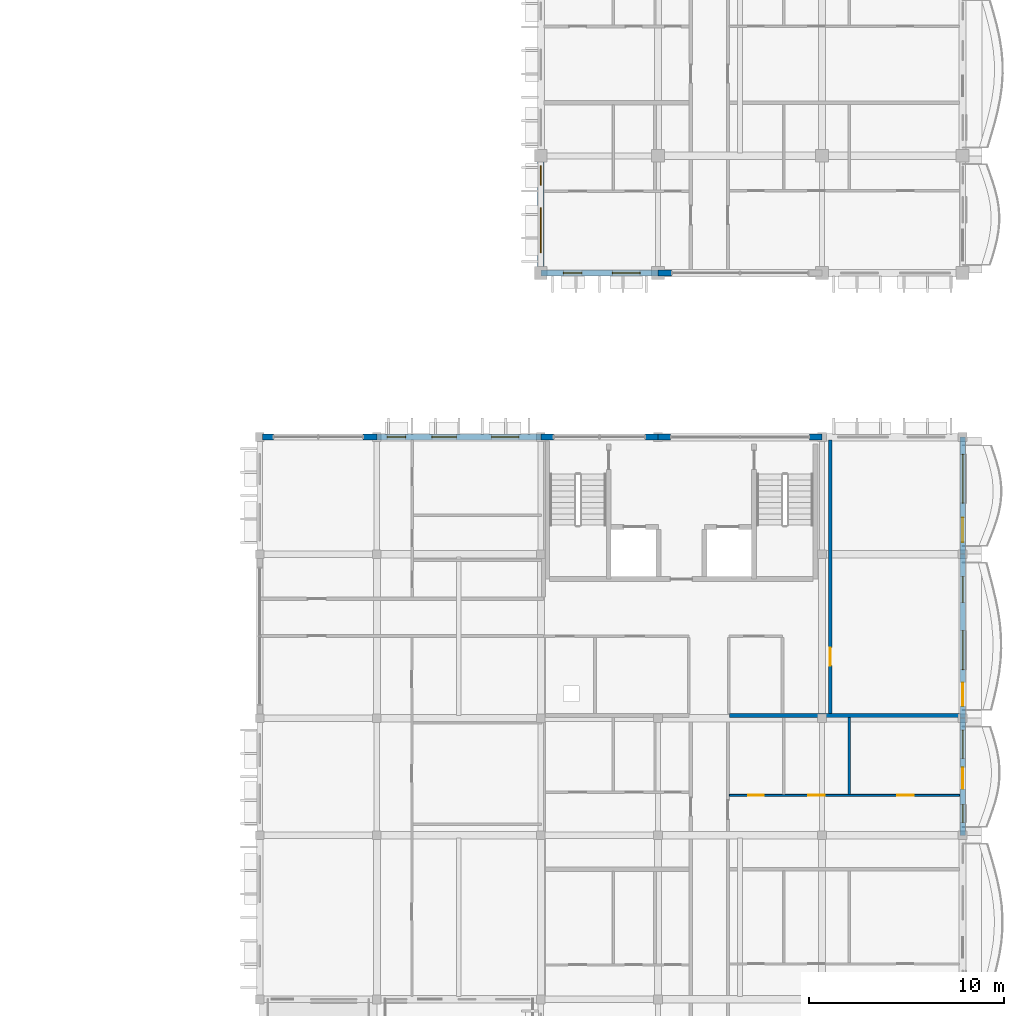
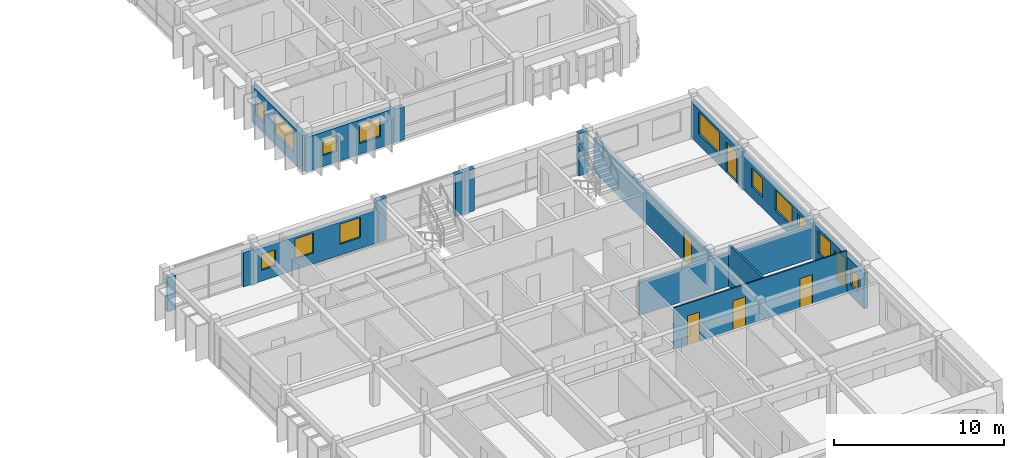
# One storey, part 42 of 76: 17 walls, 12 windows, 7 doors, 19 openings.
"""IFC4 building model written with IfcOpenShell, lengths in metres."""

from ifc_helpers import new_model, si_unit, direction, frame, frame_2d, origin, place, context, subcontext, project, spatial, rectangle, extrude, material, layer, layer_set, type_object, element, fill, save


model = new_model("IFC4")

# Units and contexts
model_context = context("Model", 3, precision=1e-05, world=origin(), true_north=direction((0.0, 1.0)))
body_context = subcontext(model_context, "Body", "Model", "MODEL_VIEW")
ifc_project = project(units=[si_unit("LENGTHUNIT", "METRE"), si_unit("AREAUNIT", "SQUARE_METRE"), si_unit("VOLUMEUNIT", "CUBIC_METRE"), si_unit("PLANEANGLEUNIT", "RADIAN"), si_unit("MASSUNIT", "GRAM", prefix="KILO"), si_unit("THERMODYNAMICTEMPERATUREUNIT", "KELVIN")], contexts=[model_context])

# Site, building, storey
site_placement = place(None, origin())
site = spatial("IfcSite", under=ifc_project, at=site_placement, CompositionType="ELEMENT")
building_placement = place(site_placement, origin())
building = spatial("IfcBuilding", under=site, at=building_placement, Name="Thalorik Housing Commons", CompositionType="ELEMENT")
storey_placement = place(building_placement, frame((0.0, 0.0, 18.0)))
storey = spatial("IfcBuildingStorey", under=building, at=storey_placement, Name="L05", CompositionType="ELEMENT", Elevation=18.0)

# Wall, opening, door
ifc_material_1 = material(Name="Masonry fire-rated corridor wall", Category="masonry")
ifc_layer_1 = layer(ifc_material_1, 0.1650390625, Name="Masonry fire-rated corridor wall", Category="masonry")
ifc_layer_set_1 = layer_set([ifc_layer_1], Name="Masonry fire-rated corridor wall")
wall_type_1 = type_object("IfcWallType", Name="ARC-WAL-CORR-165", PredefinedType="PARTITIONING", material=ifc_layer_set_1)
wall_1_placement = place(storey_placement, frame((167.219970703125, 57.85205078125, 0.0), z_axis=(0.0, 0.0, 1.0), x_axis=(0.0, 1.0, 0.0)))
wall_1 = element("IfcWall", 1, at=wall_1_placement, inside=storey, type_object=wall_type_1, Name="L05 Block D East Studio Wall", PredefinedType="PARTITIONING", context=body_context, shape_type="SweptSolid", body=[
    extrude(rectangle(XDim=14.008056640625, YDim=0.1650390625, at=frame_2d((7.00390625, 0.0))), origin(), (0.0, 0.0, 1.0), 2.425048828125),
])
opening_1_placement = place(wall_1_placement, frame((2.43798828125, 0.0, 0.0)))
opening_1 = element("IfcOpeningElement", 2, at=opening_1_placement, cuts=wall_1, Name="Opening ID-2091", PredefinedType="OPENING", context=body_context, shape_type="SweptSolid", body=[
    extrude(rectangle(XDim=0.919921875, YDim=2.10009765625, at=frame_2d((0.4599609375, 1.050048828125))), frame((0.0, 0.092529296875, 0.0), z_axis=(0.0, -1.0, 0.0), x_axis=(1.0, 0.0, 0.0)), (0.0, 0.0, 1.0), 0.18505859375),
])
ifc_material_2 = material(Name="Solid core hardwood timber", Category="wood")
door_type_1 = type_object("IfcDoorType", Name="ARC-DR-FD30-920", OperationType="NOTDEFINED", PredefinedType="DOOR", material=ifc_material_2)
door_1_placement = place(opening_1_placement, origin())
door_1 = element("IfcDoor", 3, at=door_1_placement, inside=storey, type_object=door_type_1, Name="L05 Block D East Room Door", OperationType="SINGLE_SWING_RIGHT", OverallHeight=2.10009765625, OverallWidth=0.919921875, PredefinedType="DOOR", context=body_context, shape_type="SweptSolid", body=[
    extrude(rectangle(XDim=0.919921875, YDim=2.10009765625, at=frame_2d((0.4599609375, 1.050048828125))), frame((0.0, 0.02490234375, 0.0), z_axis=(0.0, -1.0, 0.0), x_axis=(1.0, 0.0, 0.0)), (0.0, 0.0, 1.0), 0.050048828125),
])
fill(opening_1, door_1)

# Wall, openings, windows
ifc_material_3 = material(Name="White precast concrete C40/50", Category="concrete")
ifc_layer_2 = layer(ifc_material_3, 0.2900390625, Name="White precast concrete C40/50", Category="concrete")
ifc_layer_set_2 = layer_set([ifc_layer_2], Name="White precast concrete C40/50")
wall_type_2 = type_object("IfcWallType", Name="ARC-WAL-EXT-290", PredefinedType="STANDARD", material=ifc_layer_set_2)
wall_2_placement = place(storey_placement, frame((152.39990234375, 72.0, 0.0), z_axis=(0.0, 0.0, 1.0), x_axis=(-1.0, 0.0, 0.0)))
wall_2 = element("IfcWall", 4, at=wall_2_placement, inside=storey, type_object=wall_type_2, Name="L05 Exterior Wall WAL-EXT-L05-D-1205", PredefinedType="STANDARD", context=body_context, shape_type="SweptSolid", body=[
    extrude(rectangle(XDim=8.39990234375, YDim=0.2900390625, at=frame_2d((4.199951171875, 0.0))), origin(), (0.0, 0.0, 1.0), 2.375),
])
opening_2_placement = place(wall_2_placement, frame((1.125, 0.0, 0.780029296875)))
opening_2 = element("IfcOpeningElement", 5, at=opening_2_placement, cuts=wall_2, Name="Opening W-08", PredefinedType="OPENING", context=body_context, shape_type="SweptSolid", body=[
    extrude(rectangle(XDim=1.39990234375, YDim=1.449951171875, at=frame_2d((0.699951171875, 0.72509765625))), frame((0.0, 0.155029296875, 0.0), z_axis=(0.0, -1.0, 0.0), x_axis=(1.0, 0.0, 0.0)), (0.0, 0.0, 1.0), 0.31005859375),
])
opening_3_placement = place(wall_2_placement, frame((4.32958984375, 0.0, 0.780029296875)))
opening_3 = element("IfcOpeningElement", 6, at=opening_3_placement, cuts=wall_2, Name="Opening W-47", PredefinedType="OPENING", context=body_context, shape_type="SweptSolid", body=[
    extrude(rectangle(XDim=1.25, YDim=1.449951171875, at=frame_2d((0.625, 0.72509765625))), frame((0.0, 0.155029296875, 0.0), z_axis=(0.0, -1.0, 0.0), x_axis=(1.0, 0.0, 0.0)), (0.0, 0.0, 1.0), 0.31005859375),
])
opening_4_placement = place(wall_2_placement, frame((6.9248046875, 0.0, 0.780029296875)))
opening_4 = element("IfcOpeningElement", 7, at=opening_4_placement, cuts=wall_2, Name="Opening W-43", PredefinedType="OPENING", context=body_context, shape_type="SweptSolid", body=[
    extrude(rectangle(XDim=0.949951171875, YDim=1.14990234375, at=frame_2d((0.47509765625, 0.574951171875))), frame((0.0, 0.155029296875, 0.0), z_axis=(0.0, -1.0, 0.0), x_axis=(1.0, 0.0, 0.0)), (0.0, 0.0, 1.0), 0.31005859375),
])
ifc_material_4 = material(Name="Anodised aluminium and solar-control low-E glass", Category="aluminium")
window_type_1 = type_object("IfcWindowType", Name="ARC-WIN-08", PartitioningType="SINGLE_PANEL", PredefinedType="WINDOW", material=ifc_material_4)
window_1_placement = place(opening_2_placement, origin())
window_1 = element("IfcWindow", 8, at=window_1_placement, inside=storey, type_object=window_type_1, Name="L05 Facade Window 2201", OverallHeight=1.449951171875, OverallWidth=1.39990234375, PartitioningType="SINGLE_PANEL", PredefinedType="WINDOW", context=body_context, shape_type="SweptSolid", body=[
    extrude(rectangle(XDim=1.39990234375, YDim=1.449951171875, at=frame_2d((0.699951171875, 0.72509765625))), frame((0.0, 0.030029296875, 0.0), z_axis=(0.0, -1.0, 0.0), x_axis=(1.0, 0.0, 0.0)), (0.0, 0.0, 1.0), 0.06005859375),
])
fill(opening_2, window_1)
window_type_2 = type_object("IfcWindowType", Name="ARC-WIN-43", PartitioningType="SINGLE_PANEL", PredefinedType="WINDOW", material=ifc_material_4)
window_2_placement = place(opening_4_placement, origin())
window_2 = element("IfcWindow", 9, at=window_2_placement, inside=storey, type_object=window_type_2, Name="L05 Facade Window 2203", OverallHeight=1.14990234375, OverallWidth=0.949951171875, PartitioningType="SINGLE_PANEL", PredefinedType="WINDOW", context=body_context, shape_type="SweptSolid", body=[
    extrude(rectangle(XDim=0.949951171875, YDim=1.14990234375, at=frame_2d((0.47509765625, 0.574951171875))), frame((0.0, 0.030029296875, 0.0), z_axis=(0.0, -1.0, 0.0), x_axis=(1.0, 0.0, 0.0)), (0.0, 0.0, 1.0), 0.06005859375),
])
fill(opening_4, window_2)
window_type_3 = type_object("IfcWindowType", Name="ARC-WIN-47", PartitioningType="SINGLE_PANEL", PredefinedType="WINDOW", material=ifc_material_4)
window_3_placement = place(opening_3_placement, origin())
window_3 = element("IfcWindow", 10, at=window_3_placement, inside=storey, type_object=window_type_3, Name="L05 Facade Window 2202", OverallHeight=1.449951171875, OverallWidth=1.25, PartitioningType="SINGLE_PANEL", PredefinedType="WINDOW", context=body_context, shape_type="SweptSolid", body=[
    extrude(rectangle(XDim=1.25, YDim=1.449951171875, at=frame_2d((0.625, 0.72509765625))), frame((0.0, 0.030029296875, 0.0), z_axis=(0.0, -1.0, 0.0), x_axis=(1.0, 0.0, 0.0)), (0.0, 0.0, 1.0), 0.06005859375),
])
fill(opening_3, window_3)

# Walls
wall_3_placement = place(storey_placement, frame((144.0, 72.0, 0.0), z_axis=(0.0, 0.0, 1.0), x_axis=(-1.0, 0.0, 0.0)))
element("IfcWall", 11, at=wall_3_placement, inside=storey, type_object=wall_type_2, Name="L05 Exterior Wall WAL-PIERL-L05-D-1206", PredefinedType="STANDARD", context=body_context, shape_type="SweptSolid", body=[
    extrude(rectangle(XDim=0.699951171875, YDim=0.2900390625, at=frame_2d((0.35009765625, 0.0))), origin(), (0.0, 0.0, 1.0), 2.47509765625),
])
wall_4_placement = place(storey_placement, frame((138.699951171875, 72.0, 0.0), z_axis=(0.0, 0.0, 1.0), x_axis=(-1.0, 0.0, 0.0)))
element("IfcWall", 12, at=wall_4_placement, inside=storey, type_object=wall_type_2, Name="L05 Exterior Wall WAL-PIERR-L05-D-1206", PredefinedType="STANDARD", context=body_context, shape_type="SweptSolid", body=[
    extrude(rectangle(XDim=0.552978515625, YDim=0.2900390625, at=frame_2d((0.2763671875, 0.0))), origin(), (0.0, 0.0, 1.0), 2.47509765625),
])

# Wall, openings, door, windows
wall_5_placement = place(storey_placement, frame((174.0, 51.60009765625, 0.0), z_axis=(0.0, 0.0, 1.0), x_axis=(0.0, 1.0, 0.0)))
wall_5 = element("IfcWall", 13, at=wall_5_placement, inside=storey, type_object=wall_type_2, Name="L05 Exterior Wall WAL-EXT-L05-D-1219", PredefinedType="STANDARD", context=body_context, shape_type="SweptSolid", body=[
    extrude(rectangle(XDim=6.0, YDim=0.2900390625, at=frame_2d((3.0, 0.0))), origin(), (0.0, 0.0, 1.0), 2.574951171875),
])
opening_5_placement = place(wall_5_placement, frame((2.377685546875, 0.0, 0.0)))
opening_5 = element("IfcOpeningElement", 14, at=opening_5_placement, cuts=wall_5, Name="Opening ED-0413", PredefinedType="OPENING", context=body_context, shape_type="SweptSolid", body=[
    extrude(rectangle(XDim=1.10009765625, YDim=2.14990234375, at=frame_2d((0.550048828125, 1.074951171875))), frame((0.0, 0.155029296875, 0.0), z_axis=(0.0, -1.0, 0.0), x_axis=(1.0, 0.0, 0.0)), (0.0, 0.0, 1.0), 0.31005859375),
])
opening_6_placement = place(wall_5_placement, frame((0.668701171875, 0.0, 0.780029296875)))
opening_6 = element("IfcOpeningElement", 15, at=opening_6_placement, cuts=wall_5, Name="Opening W-01", PredefinedType="OPENING", context=body_context, shape_type="SweptSolid", body=[
    extrude(rectangle(XDim=0.89990234375, YDim=1.199951171875, at=frame_2d((0.449951171875, 0.60009765625))), frame((0.0, 0.155029296875, 0.0), z_axis=(0.0, -1.0, 0.0), x_axis=(1.0, 0.0, 0.0)), (0.0, 0.0, 1.0), 0.31005859375),
])
opening_7_placement = place(wall_5_placement, frame((3.94384765625, 0.0, 0.780029296875)))
opening_7 = element("IfcOpeningElement", 16, at=opening_7_placement, cuts=wall_5, Name="Opening W-09", PredefinedType="OPENING", context=body_context, shape_type="SweptSolid", body=[
    extrude(rectangle(XDim=1.449951171875, YDim=1.60009765625, at=frame_2d((0.72509765625, 0.800048828125))), frame((0.0, 0.155029296875, 0.0), z_axis=(0.0, -1.0, 0.0), x_axis=(1.0, 0.0, 0.0)), (0.0, 0.0, 1.0), 0.31005859375),
])
ifc_material_5 = material(Name="Anodised aluminium and laminated safety glass", Category="aluminium")
door_type_2 = type_object("IfcDoorType", Name="ARC-DR-BAL-1100", OperationType="NOTDEFINED", PredefinedType="DOOR", material=ifc_material_5)
door_2_placement = place(opening_5_placement, frame((1.10009765625, 0.0, 0.0), z_axis=(0.0, 0.0, 1.0), x_axis=(-1.0, 0.0, 0.0)))
door_2 = element("IfcDoor", 17, at=door_2_placement, inside=storey, type_object=door_type_2, Name="L05 Block D Balcony Glazed Door", OperationType="SINGLE_SWING_RIGHT", OverallHeight=2.14990234375, OverallWidth=1.10009765625, PredefinedType="DOOR", context=body_context, shape_type="SweptSolid", body=[
    extrude(rectangle(XDim=1.10009765625, YDim=2.14990234375, at=frame_2d((0.550048828125, 1.074951171875))), frame((0.0, 0.02490234375, 0.0), z_axis=(0.0, -1.0, 0.0), x_axis=(1.0, 0.0, 0.0)), (0.0, 0.0, 1.0), 0.050048828125),
])
fill(opening_5, door_2)
window_type_4 = type_object("IfcWindowType", Name="ARC-WIN-01", PartitioningType="SINGLE_PANEL", PredefinedType="WINDOW", material=ifc_material_4)
window_4_placement = place(opening_6_placement, origin())
window_4 = element("IfcWindow", 18, at=window_4_placement, inside=storey, type_object=window_type_4, Name="L05 Facade Window 2226", OverallHeight=1.199951171875, OverallWidth=0.89990234375, PartitioningType="SINGLE_PANEL", PredefinedType="WINDOW", context=body_context, shape_type="SweptSolid", body=[
    extrude(rectangle(XDim=0.89990234375, YDim=1.199951171875, at=frame_2d((0.449951171875, 0.60009765625))), frame((0.0, 0.030029296875, 0.0), z_axis=(0.0, -1.0, 0.0), x_axis=(1.0, 0.0, 0.0)), (0.0, 0.0, 1.0), 0.06005859375),
])
fill(opening_6, window_4)
window_type_5 = type_object("IfcWindowType", Name="ARC-WIN-09", PartitioningType="SINGLE_PANEL", PredefinedType="WINDOW", material=ifc_material_4)
window_5_placement = place(opening_7_placement, origin())
window_5 = element("IfcWindow", 19, at=window_5_placement, inside=storey, type_object=window_type_5, Name="L05 Facade Window 2227", OverallHeight=1.60009765625, OverallWidth=1.449951171875, PartitioningType="SINGLE_PANEL", PredefinedType="WINDOW", context=body_context, shape_type="SweptSolid", body=[
    extrude(rectangle(XDim=1.449951171875, YDim=1.60009765625, at=frame_2d((0.72509765625, 0.800048828125))), frame((0.0, 0.030029296875, 0.0), z_axis=(0.0, -1.0, 0.0), x_axis=(1.0, 0.0, 0.0)), (0.0, 0.0, 1.0), 0.06005859375),
])
fill(opening_7, window_5)

wall_6_placement = place(storey_placement, frame((174.0, 57.60009765625, 0.0), z_axis=(0.0, 0.0, 1.0), x_axis=(0.0, 1.0, 0.0)))
wall_6 = element("IfcWall", 20, at=wall_6_placement, inside=storey, type_object=wall_type_2, Name="L05 Exterior Wall WAL-EXT-L05-D-1220", PredefinedType="STANDARD", context=body_context, shape_type="SweptSolid", body=[
    extrude(rectangle(XDim=8.39990234375, YDim=0.2900390625, at=frame_2d((4.199951171875, 0.0))), origin(), (0.0, 0.0, 1.0), 2.425048828125),
])
opening_8_placement = place(wall_6_placement, frame((0.6201171875, 0.0, 0.0)))
opening_8 = element("IfcOpeningElement", 21, at=opening_8_placement, cuts=wall_6, Name="Opening ED-0414", PredefinedType="OPENING", context=body_context, shape_type="SweptSolid", body=[
    extrude(rectangle(XDim=1.199951171875, YDim=2.14990234375, at=frame_2d((0.60009765625, 1.074951171875))), frame((0.0, 0.155029296875, 0.0), z_axis=(0.0, -1.0, 0.0), x_axis=(1.0, 0.0, 0.0)), (0.0, 0.0, 1.0), 0.31005859375),
])
opening_9_placement = place(wall_6_placement, frame((2.489990234375, 0.0, 0.780029296875)))
opening_9 = element("IfcOpeningElement", 22, at=opening_9_placement, cuts=wall_6, Name="Opening W-23", PredefinedType="OPENING", context=body_context, shape_type="SweptSolid", body=[
    extrude(rectangle(XDim=2.0, YDim=1.5, at=frame_2d((1.0, 0.75))), frame((0.0, 0.155029296875, 0.0), z_axis=(0.0, -1.0, 0.0), x_axis=(1.0, 0.0, 0.0)), (0.0, 0.0, 1.0), 0.31005859375),
])
opening_10_placement = place(wall_6_placement, frame((5.929931640625, 0.0, 0.780029296875)))
opening_10 = element("IfcOpeningElement", 23, at=opening_10_placement, cuts=wall_6, Name="Opening W-48", PredefinedType="OPENING", context=body_context, shape_type="SweptSolid", body=[
    extrude(rectangle(XDim=1.320068359375, YDim=1.35009765625, at=frame_2d((0.66015625, 0.675048828125))), frame((0.0, 0.155029296875, 0.0), z_axis=(0.0, -1.0, 0.0), x_axis=(1.0, 0.0, 0.0)), (0.0, 0.0, 1.0), 0.31005859375),
])
door_type_3 = type_object("IfcDoorType", Name="ARC-DR-BAL-1200", OperationType="NOTDEFINED", PredefinedType="DOOR", material=ifc_material_5)
door_3_placement = place(opening_8_placement, frame((1.199951171875, 0.0, 0.0), z_axis=(0.0, 0.0, 1.0), x_axis=(-1.0, 0.0, 0.0)))
door_3 = element("IfcDoor", 24, at=door_3_placement, inside=storey, type_object=door_type_3, Name="L05 Block D Balcony Glazed Door", OperationType="SINGLE_SWING_LEFT", OverallHeight=2.14990234375, OverallWidth=1.199951171875, PredefinedType="DOOR", context=body_context, shape_type="SweptSolid", body=[
    extrude(rectangle(XDim=1.199951171875, YDim=2.14990234375, at=frame_2d((0.60009765625, 1.074951171875))), frame((0.0, 0.02490234375, 0.0), z_axis=(0.0, -1.0, 0.0), x_axis=(1.0, 0.0, 0.0)), (0.0, 0.0, 1.0), 0.050048828125),
])
fill(opening_8, door_3)
window_type_6 = type_object("IfcWindowType", Name="ARC-WIN-23", PartitioningType="DOUBLE_PANEL_VERTICAL", PredefinedType="WINDOW", material=ifc_material_4)
window_6_placement = place(opening_9_placement, origin())
window_6 = element("IfcWindow", 25, at=window_6_placement, inside=storey, type_object=window_type_6, Name="L05 Facade Window 2228", OverallHeight=1.5, OverallWidth=2.0, PartitioningType="DOUBLE_PANEL_VERTICAL", PredefinedType="WINDOW", context=body_context, shape_type="SweptSolid", body=[
    extrude(rectangle(XDim=2.0, YDim=1.5, at=frame_2d((1.0, 0.75))), frame((0.0, 0.030029296875, 0.0), z_axis=(0.0, -1.0, 0.0), x_axis=(1.0, 0.0, 0.0)), (0.0, 0.0, 1.0), 0.06005859375),
])
fill(opening_9, window_6)
window_type_7 = type_object("IfcWindowType", Name="ARC-WIN-48", PartitioningType="SINGLE_PANEL", PredefinedType="WINDOW", material=ifc_material_4)
window_7_placement = place(opening_10_placement, origin())
window_7 = element("IfcWindow", 26, at=window_7_placement, inside=storey, type_object=window_type_7, Name="L05 Facade Window 2229", OverallHeight=1.35009765625, OverallWidth=1.320068359375, PartitioningType="SINGLE_PANEL", PredefinedType="WINDOW", context=body_context, shape_type="SweptSolid", body=[
    extrude(rectangle(XDim=1.320068359375, YDim=1.35009765625, at=frame_2d((0.66015625, 0.675048828125))), frame((0.0, 0.030029296875, 0.0), z_axis=(0.0, -1.0, 0.0), x_axis=(1.0, 0.0, 0.0)), (0.0, 0.0, 1.0), 0.06005859375),
])
fill(opening_10, window_7)

# Wall, openings, door, window
wall_7_placement = place(storey_placement, frame((174.0, 66.0, 0.0), z_axis=(0.0, 0.0, 1.0), x_axis=(0.0, 1.0, 0.0)))
wall_7 = element("IfcWall", 27, at=wall_7_placement, inside=storey, type_object=wall_type_2, Name="L05 Exterior Wall WAL-EXT-L05-D-1221", PredefinedType="STANDARD", context=body_context, shape_type="SweptSolid", body=[
    extrude(rectangle(XDim=6.0, YDim=0.2900390625, at=frame_2d((3.0, 0.0))), origin(), (0.0, 0.0, 1.0), 2.574951171875),
])
opening_11_placement = place(wall_7_placement, frame((0.6201171875, 0.0, 0.0)))
opening_11 = element("IfcOpeningElement", 28, at=opening_11_placement, cuts=wall_7, Name="Opening ED-0415", PredefinedType="OPENING", context=body_context, shape_type="SweptSolid", body=[
    extrude(rectangle(XDim=1.25, YDim=2.199951171875, at=frame_2d((0.625, 1.10009765625))), frame((0.0, 0.155029296875, 0.0), z_axis=(0.0, -1.0, 0.0), x_axis=(1.0, 0.0, 0.0)), (0.0, 0.0, 1.0), 0.31005859375),
])
opening_12_placement = place(wall_7_placement, frame((2.614990234375, 0.0, 0.780029296875)))
opening_12 = element("IfcOpeningElement", 29, at=opening_12_placement, cuts=wall_7, Name="Opening W-37", PredefinedType="OPENING", context=body_context, shape_type="SweptSolid", body=[
    extrude(rectangle(XDim=2.5, YDim=1.60009765625, at=frame_2d((1.25, 0.800048828125))), frame((0.0, 0.155029296875, 0.0), z_axis=(0.0, -1.0, 0.0), x_axis=(1.0, 0.0, 0.0)), (0.0, 0.0, 1.0), 0.31005859375),
])
door_type_4 = type_object("IfcDoorType", Name="ARC-DR-BAL-1250", OperationType="NOTDEFINED", PredefinedType="DOOR", material=ifc_material_5)
door_4_placement = place(opening_11_placement, frame((1.25, 0.0, 0.0), z_axis=(0.0, 0.0, 1.0), x_axis=(-1.0, 0.0, 0.0)))
door_4 = element("IfcDoor", 30, at=door_4_placement, inside=storey, type_object=door_type_4, Name="L05 Block D Balcony Glazed Door", OperationType="SINGLE_SWING_RIGHT", OverallHeight=2.199951171875, OverallWidth=1.25, PredefinedType="DOOR", context=body_context, shape_type="SweptSolid", body=[
    extrude(rectangle(XDim=1.25, YDim=2.199951171875, at=frame_2d((0.625, 1.10009765625))), frame((0.0, 0.02490234375, 0.0), z_axis=(0.0, -1.0, 0.0), x_axis=(1.0, 0.0, 0.0)), (0.0, 0.0, 1.0), 0.050048828125),
])
fill(opening_11, door_4)
window_type_8 = type_object("IfcWindowType", Name="ARC-WIN-37", PartitioningType="DOUBLE_PANEL_VERTICAL", PredefinedType="WINDOW", material=ifc_material_4)
window_8_placement = place(opening_12_placement, origin())
window_8 = element("IfcWindow", 31, at=window_8_placement, inside=storey, type_object=window_type_8, Name="L05 Facade Window 2230", OverallHeight=1.60009765625, OverallWidth=2.5, PartitioningType="DOUBLE_PANEL_VERTICAL", PredefinedType="WINDOW", context=body_context, shape_type="SweptSolid", body=[
    extrude(rectangle(XDim=2.5, YDim=1.60009765625, at=frame_2d((1.25, 0.800048828125))), frame((0.0, 0.030029296875, 0.0), z_axis=(0.0, -1.0, 0.0), x_axis=(1.0, 0.0, 0.0)), (0.0, 0.0, 1.0), 0.06005859375),
])
fill(opening_12, window_8)

# Walls
for number, where, z_axis, x_axis, name in (
    (32, (166.800048828125, 72.0, 0.0), (0.0, 0.0, 1.0), (-1.0, 0.0, 0.0), "L05 Exterior Wall WAL-PIERL-L05-D-1223"),
    (33, (159.050048828125, 72.0, 0.0), (0.0, 0.0, 1.0), (-1.0, 0.0, 0.0), "L05 Exterior Wall WAL-PIERR-L05-D-1223"),
):
    element("IfcWall", number, at=place(storey_placement, frame(where, z_axis=z_axis, x_axis=x_axis)), inside=storey, type_object=wall_type_2, Name=name, PredefinedType="STANDARD", context=body_context, shape_type="SweptSolid", body=[
        extrude(rectangle(XDim=0.650146484375, YDim=0.2900390625, at=frame_2d((0.3251953125, 0.0))), origin(), (0.0, 0.0, 1.0), 3.0400390625),
    ])
wall_8_placement = place(storey_placement, frame((158.39990234375, 72.0, 0.0), z_axis=(0.0, 0.0, 1.0), x_axis=(-1.0, 0.0, 0.0)))
element("IfcWall", 34, at=wall_8_placement, inside=storey, type_object=wall_type_2, Name="L05 Exterior Wall WAL-PIERL-L05-D-1224", PredefinedType="STANDARD", context=body_context, shape_type="SweptSolid", body=[
    extrude(rectangle(XDim=0.64990234375, YDim=0.2900390625, at=frame_2d((0.324951171875, 0.0))), origin(), (0.0, 0.0, 1.0), 3.0400390625),
])
wall_9_placement = place(storey_placement, frame((153.050048828125, 72.0, 0.0), z_axis=(0.0, 0.0, 1.0), x_axis=(-1.0, 0.0, 0.0)))
element("IfcWall", 35, at=wall_9_placement, inside=storey, type_object=wall_type_2, Name="L05 Exterior Wall WAL-PIERR-L05-D-1224", PredefinedType="STANDARD", context=body_context, shape_type="SweptSolid", body=[
    extrude(rectangle(XDim=0.650146484375, YDim=0.2900390625, at=frame_2d((0.3251953125, 0.0))), origin(), (0.0, 0.0, 1.0), 3.0400390625),
])

# Wall, openings, windows
ifc_layer_3 = layer(ifc_material_3, 0.320068359375, Name="White precast concrete C40/50", Category="concrete")
ifc_layer_set_3 = layer_set([ifc_layer_3], Name="White precast concrete C40/50")
wall_type_3 = type_object("IfcWallType", Name="ARC-WAL-EXT-320", PredefinedType="STANDARD", material=ifc_layer_set_3)
wall_10_placement = place(storey_placement, frame((152.39990234375, 86.39990234375, 0.0), z_axis=(0.0, 0.0, 1.0), x_axis=(0.0, -1.0, 0.0)))
wall_10 = element("IfcWall", 36, at=wall_10_placement, inside=storey, type_object=wall_type_3, Name="L05 Exterior Wall WAL-EXT-L05-B-0589", PredefinedType="STANDARD", context=body_context, shape_type="SweptSolid", body=[
    extrude(rectangle(XDim=6.0, YDim=0.320068359375, at=frame_2d((3.0, 0.0))), origin(), (0.0, 0.0, 1.0), 2.574951171875),
])
opening_13_placement = place(wall_10_placement, frame((0.5, 0.0, 0.780029296875)))
opening_13 = element("IfcOpeningElement", 37, at=opening_13_placement, cuts=wall_10, Name="Opening W-02", PredefinedType="OPENING", context=body_context, shape_type="SweptSolid", body=[
    extrude(rectangle(XDim=1.0, YDim=1.25, at=frame_2d((0.5, 0.625))), frame((0.0, 0.169921875, 0.0), z_axis=(0.0, -1.0, 0.0), x_axis=(1.0, 0.0, 0.0)), (0.0, 0.0, 1.0), 0.340087890625),
])
opening_14_placement = place(wall_10_placement, frame((2.64990234375, 0.0, 0.780029296875)))
opening_14 = element("IfcOpeningElement", 38, at=opening_14_placement, cuts=wall_10, Name="Opening W-68", PredefinedType="OPENING", context=body_context, shape_type="SweptSolid", body=[
    extrude(rectangle(XDim=2.320068359375, YDim=1.5, at=frame_2d((1.16015625, 0.75))), frame((0.0, 0.169921875, 0.0), z_axis=(0.0, -1.0, 0.0), x_axis=(1.0, 0.0, 0.0)), (0.0, 0.0, 1.0), 0.340087890625),
])
window_type_9 = type_object("IfcWindowType", Name="ARC-WIN-02", PartitioningType="SINGLE_PANEL", PredefinedType="WINDOW", material=ifc_material_4)
window_9_placement = place(opening_13_placement, origin())
window_9 = element("IfcWindow", 39, at=window_9_placement, inside=storey, type_object=window_type_9, Name="L05 Facade Window 1070", OverallHeight=1.25, OverallWidth=1.0, PartitioningType="SINGLE_PANEL", PredefinedType="WINDOW", context=body_context, shape_type="SweptSolid", body=[
    extrude(rectangle(XDim=1.0, YDim=1.25, at=frame_2d((0.5, 0.625))), frame((0.0, 0.030029296875, 0.0), z_axis=(0.0, -1.0, 0.0), x_axis=(1.0, 0.0, 0.0)), (0.0, 0.0, 1.0), 0.06005859375),
])
fill(opening_13, window_9)
window_type_10 = type_object("IfcWindowType", Name="ARC-WIN-68", PartitioningType="DOUBLE_PANEL_VERTICAL", PredefinedType="WINDOW", material=ifc_material_4)
window_10_placement = place(opening_14_placement, origin())
window_10 = element("IfcWindow", 40, at=window_10_placement, inside=storey, type_object=window_type_10, Name="L05 Facade Window 1071", OverallHeight=1.5, OverallWidth=2.320068359375, PartitioningType="DOUBLE_PANEL_VERTICAL", PredefinedType="WINDOW", context=body_context, shape_type="SweptSolid", body=[
    extrude(rectangle(XDim=2.320068359375, YDim=1.5, at=frame_2d((1.16015625, 0.75))), frame((0.0, 0.030029296875, 0.0), z_axis=(0.0, -1.0, 0.0), x_axis=(1.0, 0.0, 0.0)), (0.0, 0.0, 1.0), 0.06005859375),
])
fill(opening_14, window_10)

wall_11_placement = place(storey_placement, frame((152.39990234375, 80.39990234375, 0.0), z_axis=(0.0, 0.0, 1.0), x_axis=(1.0, 0.0, 0.0)))
wall_11 = element("IfcWall", 41, at=wall_11_placement, inside=storey, type_object=wall_type_3, Name="L05 Exterior Wall WAL-EXT-L05-B-0590", PredefinedType="STANDARD", context=body_context, shape_type="SweptSolid", body=[
    extrude(rectangle(XDim=6.0, YDim=0.320068359375, at=frame_2d((3.0, 0.0))), origin(), (0.0, 0.0, 1.0), 2.47509765625),
])
opening_15_placement = place(wall_11_placement, frame((1.155029296875, 0.0, 0.780029296875)))
opening_15 = element("IfcOpeningElement", 42, at=opening_15_placement, cuts=wall_11, Name="Opening W-43", PredefinedType="OPENING", context=body_context, shape_type="SweptSolid", body=[
    extrude(rectangle(XDim=0.949951171875, YDim=1.14990234375, at=frame_2d((0.47509765625, 0.574951171875))), frame((0.0, 0.169921875, 0.0), z_axis=(0.0, -1.0, 0.0), x_axis=(1.0, 0.0, 0.0)), (0.0, 0.0, 1.0), 0.340087890625),
])
opening_16_placement = place(wall_11_placement, frame((3.659912109375, 0.0, 0.780029296875)))
opening_16 = element("IfcOpeningElement", 43, at=opening_16_placement, cuts=wall_11, Name="Opening W-50", PredefinedType="OPENING", context=body_context, shape_type="SweptSolid", body=[
    extrude(rectangle(XDim=1.419921875, YDim=1.3798828125, at=frame_2d((0.7099609375, 0.68994140625))), frame((0.0, 0.169921875, 0.0), z_axis=(0.0, -1.0, 0.0), x_axis=(1.0, 0.0, 0.0)), (0.0, 0.0, 1.0), 0.340087890625),
])
window_11_placement = place(opening_15_placement, origin())
window_11 = element("IfcWindow", 44, at=window_11_placement, inside=storey, type_object=window_type_2, Name="L05 Facade Window 1072", OverallHeight=1.14990234375, OverallWidth=0.949951171875, PartitioningType="SINGLE_PANEL", PredefinedType="WINDOW", context=body_context, shape_type="SweptSolid", body=[
    extrude(rectangle(XDim=0.949951171875, YDim=1.14990234375, at=frame_2d((0.47509765625, 0.574951171875))), frame((0.0, 0.030029296875, 0.0), z_axis=(0.0, -1.0, 0.0), x_axis=(1.0, 0.0, 0.0)), (0.0, 0.0, 1.0), 0.06005859375),
])
fill(opening_15, window_11)
window_type_11 = type_object("IfcWindowType", Name="ARC-WIN-50", PartitioningType="SINGLE_PANEL", PredefinedType="WINDOW", material=ifc_material_4)
window_12_placement = place(opening_16_placement, origin())
window_12 = element("IfcWindow", 45, at=window_12_placement, inside=storey, type_object=window_type_11, Name="L05 Facade Window 1073", OverallHeight=1.3798828125, OverallWidth=1.419921875, PartitioningType="SINGLE_PANEL", PredefinedType="WINDOW", context=body_context, shape_type="SweptSolid", body=[
    extrude(rectangle(XDim=1.419921875, YDim=1.3798828125, at=frame_2d((0.7099609375, 0.68994140625))), frame((0.0, 0.030029296875, 0.0), z_axis=(0.0, -1.0, 0.0), x_axis=(1.0, 0.0, 0.0)), (0.0, 0.0, 1.0), 0.06005859375),
])
fill(opening_16, window_12)

# Wall
wall_12_placement = place(storey_placement, frame((158.39990234375, 80.39990234375, 0.0), z_axis=(0.0, 0.0, 1.0), x_axis=(1.0, 0.0, 0.0)))
element("IfcWall", 46, at=wall_12_placement, inside=storey, type_object=wall_type_3, Name="L05 Exterior Wall WAL-PIERL-L05-B-0591", PredefinedType="STANDARD", context=body_context, shape_type="SweptSolid", body=[
    extrude(rectangle(XDim=0.7001953125, YDim=0.320068359375, at=frame_2d((0.35009765625, 0.0))), origin(), (0.0, 0.0, 1.0), 2.375),
])

# Wall, openings, doors
ifc_material_6 = material(Name="Gypsum light stud partition", Category="masonry")
ifc_layer_4 = layer(ifc_material_6, 0.10009765625, Name="Gypsum light stud partition", Category="masonry")
ifc_layer_set_4 = layer_set([ifc_layer_4], Name="Gypsum light stud partition")
wall_type_4 = type_object("IfcWallType", Name="ARC-WAL-PART-100", PredefinedType="PARTITIONING", material=ifc_layer_set_4)
wall_13_placement = place(storey_placement, frame((162.056884765625, 53.647705078125, 0.0), z_axis=(0.0, 0.0, 1.0), x_axis=(1.0, 0.0, 0.0)))
wall_13 = element("IfcWall", 47, at=wall_13_placement, inside=storey, type_object=wall_type_4, Name="L05 Unit 2B Spine Partition", PredefinedType="PARTITIONING", context=body_context, shape_type="SweptSolid", body=[
    extrude(rectangle(XDim=11.796142578125, YDim=0.10009765625, at=frame_2d((5.89794921875, 0.0))), origin(), (0.0, 0.0, 1.0), 3.0),
])
opening_17_placement = place(wall_13_placement, frame((0.958251953125, 0.0, 0.0)))
opening_17 = element("IfcOpeningElement", 48, at=opening_17_placement, cuts=wall_13, Name="Opening ID-2084", PredefinedType="OPENING", context=body_context, shape_type="SweptSolid", body=[
    extrude(rectangle(XDim=0.800048828125, YDim=2.10009765625, at=frame_2d((0.39990234375, 1.050048828125))), frame((0.0, 0.06005859375, 0.0), z_axis=(0.0, -1.0, 0.0), x_axis=(1.0, 0.0, 0.0)), (0.0, 0.0, 1.0), 0.1201171875),
])
opening_18_placement = place(wall_13_placement, frame((4.042724609375, 0.0, 0.0)))
opening_18 = element("IfcOpeningElement", 49, at=opening_18_placement, cuts=wall_13, Name="Opening ID-2085", PredefinedType="OPENING", context=body_context, shape_type="SweptSolid", body=[
    extrude(rectangle(XDim=0.85009765625, YDim=2.10009765625, at=frame_2d((0.425048828125, 1.050048828125))), frame((0.0, 0.06005859375, 0.0), z_axis=(0.0, -1.0, 0.0), x_axis=(1.0, 0.0, 0.0)), (0.0, 0.0, 1.0), 0.1201171875),
])
opening_19_placement = place(wall_13_placement, frame((8.587646484375, 0.0, 0.0)))
opening_19 = element("IfcOpeningElement", 50, at=opening_19_placement, cuts=wall_13, Name="Opening ID-2086", PredefinedType="OPENING", context=body_context, shape_type="SweptSolid", body=[
    extrude(rectangle(XDim=0.85009765625, YDim=2.10009765625, at=frame_2d((0.425048828125, 1.050048828125))), frame((0.0, 0.06005859375, 0.0), z_axis=(0.0, -1.0, 0.0), x_axis=(1.0, 0.0, 0.0)), (0.0, 0.0, 1.0), 0.1201171875),
])
ifc_material_7 = material(Name="Moisture-resistant timber", Category="wood")
door_type_5 = type_object("IfcDoorType", Name="ARC-DR-INT-800", OperationType="NOTDEFINED", PredefinedType="DOOR", material=ifc_material_7)
door_5_placement = place(opening_17_placement, origin())
door_5 = element("IfcDoor", 51, at=door_5_placement, inside=storey, type_object=door_type_5, Name="L05 Flat Bathroom Door", OperationType="SINGLE_SWING_LEFT", OverallHeight=2.10009765625, OverallWidth=0.800048828125, PredefinedType="DOOR", context=body_context, shape_type="SweptSolid", body=[
    extrude(rectangle(XDim=0.800048828125, YDim=2.10009765625, at=frame_2d((0.39990234375, 1.050048828125))), frame((0.0, 0.02490234375, 0.0), z_axis=(0.0, -1.0, 0.0), x_axis=(1.0, 0.0, 0.0)), (0.0, 0.0, 1.0), 0.050048828125),
])
fill(opening_17, door_5)
ifc_material_8 = material(Name="Engineered oak timber", Category="wood")
door_type_6 = type_object("IfcDoorType", Name="ARC-DR-INT-850", OperationType="NOTDEFINED", PredefinedType="DOOR", material=ifc_material_8)
door_6_placement = place(opening_18_placement, origin())
door_6 = element("IfcDoor", 52, at=door_6_placement, inside=storey, type_object=door_type_6, Name="L05 Galley Kitchen Door", OperationType="SINGLE_SWING_RIGHT", OverallHeight=2.10009765625, OverallWidth=0.85009765625, PredefinedType="DOOR", context=body_context, shape_type="SweptSolid", body=[
    extrude(rectangle(XDim=0.85009765625, YDim=2.10009765625, at=frame_2d((0.425048828125, 1.050048828125))), frame((0.0, 0.02490234375, 0.0), z_axis=(0.0, -1.0, 0.0), x_axis=(1.0, 0.0, 0.0)), (0.0, 0.0, 1.0), 0.050048828125),
])
fill(opening_18, door_6)
door_7_placement = place(opening_19_placement, origin())
door_7 = element("IfcDoor", 53, at=door_7_placement, inside=storey, type_object=door_type_6, Name="L05 Master Bedroom Door", OperationType="SINGLE_SWING_LEFT", OverallHeight=2.10009765625, OverallWidth=0.85009765625, PredefinedType="DOOR", context=body_context, shape_type="SweptSolid", body=[
    extrude(rectangle(XDim=0.85009765625, YDim=2.10009765625, at=frame_2d((0.425048828125, 1.050048828125))), frame((0.0, 0.02490234375, 0.0), z_axis=(0.0, -1.0, 0.0), x_axis=(1.0, 0.0, 0.0)), (0.0, 0.0, 1.0), 0.050048828125),
])
fill(opening_19, door_7)

# Walls
ifc_material_9 = material(Name="Ceramic masonry partition wall", Category="masonry")
ifc_layer_5 = layer(ifc_material_9, 0.139892578125, Name="Ceramic masonry partition wall", Category="masonry")
ifc_layer_set_5 = layer_set([ifc_layer_5], Name="Ceramic masonry partition wall")
wall_type_5 = type_object("IfcWallType", Name="ARC-WAL-PART-140", PredefinedType="PARTITIONING", material=ifc_layer_set_5)
wall_14_placement = place(storey_placement, frame((168.19921875, 53.69970703125, 0.0), z_axis=(0.0, 0.0, 1.0), x_axis=(0.0, 1.0, 0.0)))
element("IfcWall", 54, at=wall_14_placement, inside=storey, type_object=wall_type_5, Name="L05 Unit 2B Bedroom Partition", PredefinedType="PARTITIONING", context=body_context, shape_type="SweptSolid", body=[
    extrude(rectangle(XDim=3.92822265625, YDim=0.139892578125, at=frame_2d((1.964111328125, 0.0))), origin(), (0.0, 0.0, 1.0), 3.0),
])
ifc_material_10 = material(Name="Precast concrete C40/50 acoustic wall", Category="concrete")
ifc_layer_6 = layer(ifc_material_10, 0.219970703125, Name="Precast concrete C40/50 acoustic wall", Category="concrete")
ifc_layer_set_6 = layer_set([ifc_layer_6], Name="Precast concrete C40/50 acoustic wall")
wall_type_6 = type_object("IfcWallType", Name="ARC-WAL-PARTY-220", PredefinedType="PARTITIONING", material=ifc_layer_set_6)
wall_15_placement = place(storey_placement, frame((162.056884765625, 57.739990234375, 0.0), z_axis=(0.0, 0.0, 1.0), x_axis=(1.0, 0.0, 0.0)))
element("IfcWall", 55, at=wall_15_placement, inside=storey, type_object=wall_type_6, Name="L05 Core End Wall B", PredefinedType="PARTITIONING", context=body_context, shape_type="SweptSolid", body=[
    extrude(rectangle(XDim=11.796142578125, YDim=0.219970703125, at=frame_2d((5.89794921875, 0.0))), origin(), (0.0, 0.0, 1.0), 2.375),
])

save(model, "model.ifc")
